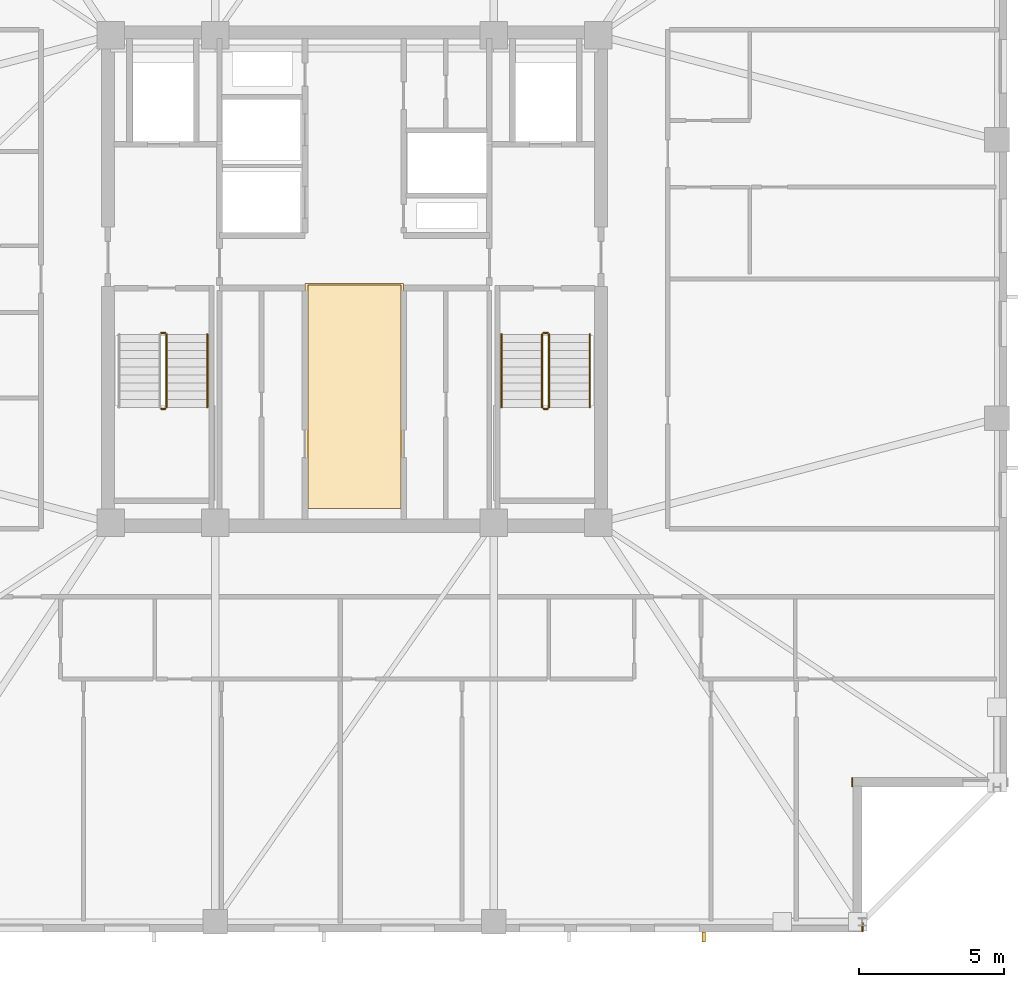
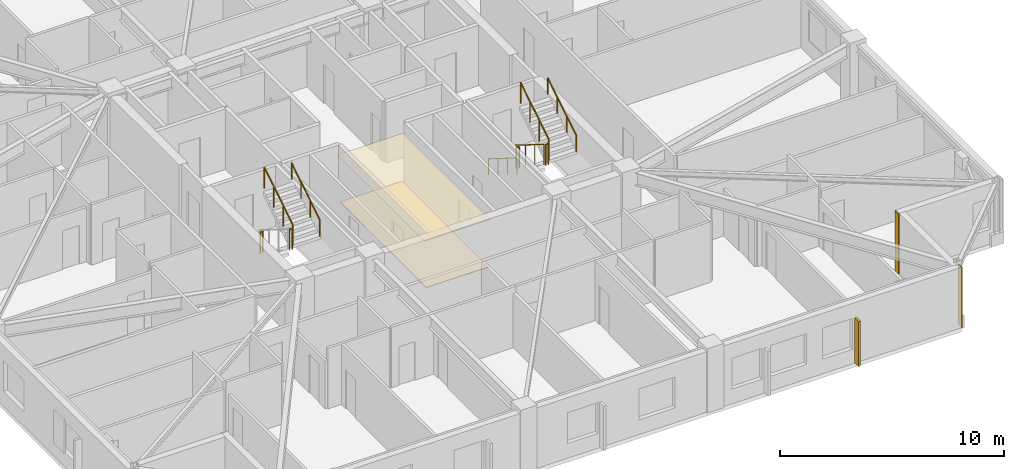
# One storey, part 14 of 17: 10 railings, 4 coverings, 1 shading device.
"""IFC4 building model written with IfcOpenShell, lengths in metres."""

from ifc_helpers import new_model, si_unit, direction, frame, frame_2d, origin, origin_2d, place, context, subcontext, project, spatial, polyline, rectangle, circle, outline, extrude, material, layer, layer_set, type_object, element, save


model = new_model("IFC4")

# Units and contexts
model_context = context("Model", 3, precision=1e-05, world=origin(), true_north=direction((0.0, 1.0)))
body_context = subcontext(model_context, "Body", "Model", "MODEL_VIEW")
ifc_project = project(units=[si_unit("LENGTHUNIT", "METRE"), si_unit("AREAUNIT", "SQUARE_METRE"), si_unit("VOLUMEUNIT", "CUBIC_METRE"), si_unit("PLANEANGLEUNIT", "RADIAN"), si_unit("MASSUNIT", "GRAM", prefix="KILO")], contexts=[model_context])

# Site, building, storey
site_placement = place(None, origin())
site = spatial("IfcSite", under=ifc_project, at=site_placement, CompositionType="ELEMENT")
building_placement = place(site_placement, origin())
building = spatial("IfcBuilding", under=site, at=building_placement, Name="Cairnveth Concourse Tower", CompositionType="ELEMENT")
storey_placement = place(building_placement, frame((0.0, 0.0, 206.0)))
storey = spatial("IfcBuildingStorey", under=building, at=storey_placement, Name="L56", CompositionType="ELEMENT", Elevation=206.0)

# Coverings
ifc_material_1 = material(Name="Acoustic Mineral Fibre Ceiling", Category="gypsum")
ifc_layer_1 = layer(ifc_material_1, 0.02490234375)
ifc_layer_set_1 = layer_set([ifc_layer_1], Name="Acoustic Mineral Fibre Ceiling")
covering_type_1 = type_object("IfcCoveringType", Name="ACOUSTIC MINERAL FIBRE CEILING 25", PredefinedType="CEILING", material=ifc_layer_set_1)
covering_1_placement = place(storey_placement, frame((0.0, 0.0, 2.55810546875)))
element("IfcCovering", 1, at=covering_1_placement, inside=storey, type_object=covering_type_1, Name="Lift Lobby Acoustic Ceiling L56", PredefinedType="CEILING", context=body_context, shape_type="SweptSolid", body=[
    extrude(outline(polyline([(50.300048828125, 31.10009765625), (53.699951171875, 31.10009765625), (53.699951171875, 38.85009765625), (50.300048828125, 38.85009765625), (50.300048828125, 31.10009765625)])), origin(), (0.0, 0.0, 1.0), 0.02490234375),
])
ifc_material_2 = material(Name="Dressed Melbourne Bluestone Cladding", Category="masonry")
ifc_layer_2 = layer(ifc_material_2, 0.050048828125)
ifc_layer_set_2 = layer_set([ifc_layer_2], Name="Dressed Melbourne Bluestone Cladding")
covering_type_2 = type_object("IfcCoveringType", Name="DRESSED BLUESTONE PLINTH CLADDING 50", PredefinedType="CLADDING", material=ifc_layer_set_2)
for number, where, z_axis, x_axis, name in (
    (2, (69.159912109375, 21.820068359375, 0.0), (0.0, 0.0, 1.0), (0.0, -1.0, 0.0), "Melbourne Bluestone Corner Quoin L56-836"),
    (3, (69.52001953125, 16.820068359375, 0.0), (0.0, 0.0, 1.0), (0.0, -1.0, 0.0), "Melbourne Bluestone Corner Quoin L56-837"),
):
    element("IfcCovering", number, at=place(storey_placement, frame(where, z_axis=z_axis, x_axis=x_axis)), inside=storey, type_object=covering_type_2, Name=name, PredefinedType="CLADDING", context=body_context, shape_type="SweptSolid", body=[
        extrude(rectangle(XDim=0.320068359375, YDim=0.050048828125, at=frame_2d((0.16015625, 0.0))), origin(), (0.0, 0.0, 1.0), 3.2900390625),
    ])

# Shading device
ifc_material_3 = material(Name="Architectural Bronze Anodised Aluminium 6063-T6", Category="aluminium")
shading_device_type = type_object("IfcShadingDeviceType", Name="GOTHIC BRONZE VERTICAL LANCET FIN", PredefinedType="USERDEFINED", material=ifc_material_3)
shading_device_placement = place(storey_placement, frame((64.04736328125, 16.324951171875, 0.030029296875), z_axis=(0.0, 0.0, 1.0), x_axis=(1.0, 0.0, 0.0)))
element("IfcShadingDevice", 4, at=shading_device_placement, inside=storey, type_object=shading_device_type, Name="Gothic Bronze Vertical Fin L56-6-1", ObjectType="VERTICAL FIN", PredefinedType="USERDEFINED", context=body_context, shape_type="SweptSolid", body=[
    extrude(rectangle(XDim=0.1201171875, YDim=0.360107421875, at=origin_2d()), origin(), (0.0, 0.0, 1.0), 2.43798828125),
])

# Railings
ifc_material_4 = material(Name="Steel Grade 350", Category="steel")
railing_type_1 = type_object("IfcRailingType", Name="STAIR GUARDRAIL 1150", PredefinedType="GUARDRAIL", material=ifc_material_4)
railing_1_placement = place(storey_placement, frame((45.340087890625, 34.530029296875, 1.75)))
element("IfcRailing", 5, at=railing_1_placement, inside=storey, type_object=railing_type_1, Name="L56 ST-1 stair guard 2", PredefinedType="GUARDRAIL", context=body_context, shape_type="SweptSolid", body=[
    extrude(circle(Radius=0.02392578125, at=origin_2d()), frame((0.0, 0.0, 1.1259765625), z_axis=(1.0, 0.0, 0.0), x_axis=(0.0, 1.0, 0.0)), (0.0, 0.0, 1.0), 0.139892578125),
    extrude(circle(Radius=0.02099609375, at=origin_2d()), origin(), (0.0, 0.0, 1.0), 1.101806640625),
    extrude(circle(Radius=0.02099609375, at=origin_2d()), frame((0.139892578125, 0.0, 0.0)), (0.0, 0.0, 1.0), 1.101806640625),
])
railing_2_placement = place(storey_placement, frame((45.530029296875, 34.580078125, 1.925048828125)))
element("IfcRailing", 6, at=railing_2_placement, inside=storey, type_object=railing_type_1, Name="L56 ST-1 stair guard 3", PredefinedType="GUARDRAIL", context=body_context, shape_type="SweptSolid", body=[
    extrude(circle(Radius=0.02392578125, at=origin_2d()), frame((0.0, 0.0, 1.1259765625), z_axis=(0.0, 0.848007534815, 0.529984170421), x_axis=(-1.0, 0.0, 0.0)), (0.0, 0.0, 1.0), 2.9716796875),
    extrude(circle(Radius=0.02099609375, at=origin_2d()), origin(), (0.0, 0.0, 1.0), 1.101806640625),
    extrude(circle(Radius=0.02099609375, at=origin_2d()), frame((0.0, 0.840087890625, 0.52490234375)), (0.0, 0.0, 1.0), 1.101806640625),
    extrude(circle(Radius=0.02099609375, at=origin_2d()), frame((0.0, 1.679931640625, 1.050048828125)), (0.0, 0.0, 1.0), 1.101806640625),
    extrude(circle(Radius=0.02099609375, at=origin_2d()), frame((0.0, 2.52001953125, 1.574951171875)), (0.0, 0.0, 1.0), 1.101806640625),
])
railing_3_placement = place(storey_placement, frame((45.340087890625, 37.14990234375, 0.0)))
element("IfcRailing", 7, at=railing_3_placement, inside=storey, type_object=railing_type_1, Name="L56 ST-1 stair guard 4", PredefinedType="GUARDRAIL", context=body_context, shape_type="SweptSolid", body=[
    extrude(circle(Radius=0.02392578125, at=origin_2d()), frame((0.0, 0.0, 1.1259765625), z_axis=(1.0, 0.0, 0.0), x_axis=(0.0, 1.0, 0.0)), (0.0, 0.0, 1.0), 0.139892578125),
    extrude(circle(Radius=0.02099609375, at=origin_2d()), origin(), (0.0, 0.0, 1.0), 1.101806640625),
    extrude(circle(Radius=0.02099609375, at=origin_2d()), frame((0.139892578125, 0.0, 0.0)), (0.0, 0.0, 1.0), 1.101806640625),
])
railing_4_placement = place(storey_placement, frame((58.469970703125, 37.10009765625, 0.175048828125)))
element("IfcRailing", 8, at=railing_4_placement, inside=storey, type_object=railing_type_1, Name="L56 ST-2 stair guard 1", PredefinedType="GUARDRAIL", context=body_context, shape_type="SweptSolid", body=[
    extrude(circle(Radius=0.02392578125, at=origin_2d()), frame((0.0, 0.0, 1.1259765625), z_axis=(0.0, -0.848007534815, 0.529984170421), x_axis=(1.0, 0.0, 0.0)), (0.0, 0.0, 1.0), 2.9716796875),
    extrude(circle(Radius=0.02099609375, at=origin_2d()), origin(), (0.0, 0.0, 1.0), 1.101806640625),
    extrude(circle(Radius=0.02099609375, at=origin_2d()), frame((0.0, -0.840087890625, 0.52490234375)), (0.0, 0.0, 1.0), 1.101806640625),
    extrude(circle(Radius=0.02099609375, at=origin_2d()), frame((0.0, -1.679931640625, 1.050048828125)), (0.0, 0.0, 1.0), 1.101806640625),
    extrude(circle(Radius=0.02099609375, at=origin_2d()), frame((0.0, -2.52001953125, 1.574951171875)), (0.0, 0.0, 1.0), 1.101806640625),
])
railing_5_placement = place(storey_placement, frame((58.52001953125, 34.530029296875, 1.75)))
element("IfcRailing", 9, at=railing_5_placement, inside=storey, type_object=railing_type_1, Name="L56 ST-2 stair guard 2", PredefinedType="GUARDRAIL", context=body_context, shape_type="SweptSolid", body=[
    extrude(circle(Radius=0.02392578125, at=origin_2d()), frame((0.0, 0.0, 1.1259765625), z_axis=(1.0, 0.0, 0.0), x_axis=(0.0, 1.0, 0.0)), (0.0, 0.0, 1.0), 0.139892578125),
    extrude(circle(Radius=0.02099609375, at=origin_2d()), origin(), (0.0, 0.0, 1.0), 1.101806640625),
    extrude(circle(Radius=0.02099609375, at=origin_2d()), frame((0.139892578125, 0.0, 0.0)), (0.0, 0.0, 1.0), 1.101806640625),
])
railing_6_placement = place(storey_placement, frame((58.7099609375, 34.580078125, 1.925048828125)))
element("IfcRailing", 10, at=railing_6_placement, inside=storey, type_object=railing_type_1, Name="L56 ST-2 stair guard 3", PredefinedType="GUARDRAIL", context=body_context, shape_type="SweptSolid", body=[
    extrude(circle(Radius=0.02392578125, at=origin_2d()), frame((0.0, 0.0, 1.1259765625), z_axis=(0.0, 0.848007534815, 0.529984170421), x_axis=(-1.0, 0.0, 0.0)), (0.0, 0.0, 1.0), 2.9716796875),
    extrude(circle(Radius=0.02099609375, at=origin_2d()), origin(), (0.0, 0.0, 1.0), 1.101806640625),
    extrude(circle(Radius=0.02099609375, at=origin_2d()), frame((0.0, 0.840087890625, 0.52490234375)), (0.0, 0.0, 1.0), 1.101806640625),
    extrude(circle(Radius=0.02099609375, at=origin_2d()), frame((0.0, 1.679931640625, 1.050048828125)), (0.0, 0.0, 1.0), 1.101806640625),
    extrude(circle(Radius=0.02099609375, at=origin_2d()), frame((0.0, 2.52001953125, 1.574951171875)), (0.0, 0.0, 1.0), 1.101806640625),
])
railing_7_placement = place(storey_placement, frame((58.52001953125, 37.14990234375, 0.0)))
element("IfcRailing", 11, at=railing_7_placement, inside=storey, type_object=railing_type_1, Name="L56 ST-2 stair guard 4", PredefinedType="GUARDRAIL", context=body_context, shape_type="SweptSolid", body=[
    extrude(circle(Radius=0.02392578125, at=origin_2d()), frame((0.0, 0.0, 1.1259765625), z_axis=(1.0, 0.0, 0.0), x_axis=(0.0, 1.0, 0.0)), (0.0, 0.0, 1.0), 0.139892578125),
    extrude(circle(Radius=0.02099609375, at=origin_2d()), origin(), (0.0, 0.0, 1.0), 1.101806640625),
    extrude(circle(Radius=0.02099609375, at=origin_2d()), frame((0.139892578125, 0.0, 0.0)), (0.0, 0.0, 1.0), 1.101806640625),
])
railing_type_2 = type_object("IfcRailingType", Name="STAIR WALL HANDRAIL 900", PredefinedType="HANDRAIL", material=ifc_material_4)
railing_8_placement = place(storey_placement, frame((46.929931640625, 34.580078125, 1.925048828125)))
element("IfcRailing", 12, at=railing_8_placement, inside=storey, type_object=railing_type_2, Name="L56 ST-1 stair handrail 2", PredefinedType="HANDRAIL", context=body_context, shape_type="SweptSolid", body=[
    extrude(circle(Radius=0.02392578125, at=origin_2d()), frame((0.0, 0.0, 0.8759765625), z_axis=(0.0, 0.848007534815, 0.529984170421), x_axis=(-1.0, 0.0, 0.0)), (0.0, 0.0, 1.0), 2.9716796875),
    extrude(circle(Radius=0.02099609375, at=origin_2d()), origin(), (0.0, 0.0, 1.0), 0.851806640625),
    extrude(circle(Radius=0.02099609375, at=origin_2d()), frame((0.0, 0.840087890625, 0.52490234375)), (0.0, 0.0, 1.0), 0.851806640625),
    extrude(circle(Radius=0.02099609375, at=origin_2d()), frame((0.0, 1.679931640625, 1.050048828125)), (0.0, 0.0, 1.0), 0.851806640625),
    extrude(circle(Radius=0.02099609375, at=origin_2d()), frame((0.0, 2.52001953125, 1.574951171875)), (0.0, 0.0, 1.0), 0.851806640625),
])
railing_9_placement = place(storey_placement, frame((57.070068359375, 37.10009765625, 0.175048828125)))
element("IfcRailing", 13, at=railing_9_placement, inside=storey, type_object=railing_type_2, Name="L56 ST-2 stair handrail 1", PredefinedType="HANDRAIL", context=body_context, shape_type="SweptSolid", body=[
    extrude(circle(Radius=0.02392578125, at=origin_2d()), frame((0.0, 0.0, 0.8759765625), z_axis=(0.0, -0.848007534815, 0.529984170421), x_axis=(1.0, 0.0, 0.0)), (0.0, 0.0, 1.0), 2.9716796875),
    extrude(circle(Radius=0.02099609375, at=origin_2d()), origin(), (0.0, 0.0, 1.0), 0.851806640625),
    extrude(circle(Radius=0.02099609375, at=origin_2d()), frame((0.0, -0.840087890625, 0.52490234375)), (0.0, 0.0, 1.0), 0.851806640625),
    extrude(circle(Radius=0.02099609375, at=origin_2d()), frame((0.0, -1.679931640625, 1.050048828125)), (0.0, 0.0, 1.0), 0.851806640625),
    extrude(circle(Radius=0.02099609375, at=origin_2d()), frame((0.0, -2.52001953125, 1.574951171875)), (0.0, 0.0, 1.0), 0.851806640625),
])
railing_10_placement = place(storey_placement, frame((60.110107421875, 34.580078125, 1.925048828125)))
element("IfcRailing", 14, at=railing_10_placement, inside=storey, type_object=railing_type_2, Name="L56 ST-2 stair handrail 2", PredefinedType="HANDRAIL", context=body_context, shape_type="SweptSolid", body=[
    extrude(circle(Radius=0.02392578125, at=origin_2d()), frame((0.0, 0.0, 0.8759765625), z_axis=(0.0, 0.848007534815, 0.529984170421), x_axis=(-1.0, 0.0, 0.0)), (0.0, 0.0, 1.0), 2.9716796875),
    extrude(circle(Radius=0.02099609375, at=origin_2d()), origin(), (0.0, 0.0, 1.0), 0.851806640625),
    extrude(circle(Radius=0.02099609375, at=origin_2d()), frame((0.0, 0.840087890625, 0.52490234375)), (0.0, 0.0, 1.0), 0.851806640625),
    extrude(circle(Radius=0.02099609375, at=origin_2d()), frame((0.0, 1.679931640625, 1.050048828125)), (0.0, 0.0, 1.0), 0.851806640625),
    extrude(circle(Radius=0.02099609375, at=origin_2d()), frame((0.0, 2.52001953125, 1.574951171875)), (0.0, 0.0, 1.0), 0.851806640625),
])

# Covering
ifc_material_5 = material(Name="Vitrified Stoneware Tile Flooring", Category="masonry")
ifc_layer_3 = layer(ifc_material_5, 0.02001953125)
ifc_layer_set_3 = layer_set([ifc_layer_3], Name="Vitrified Stoneware Tile Flooring")
covering_type_3 = type_object("IfcCoveringType", Name="VITRIFIED STONEWARE LOBBY FLOORING 20", PredefinedType="FLOORING", material=ifc_layer_set_3)
covering_2_placement = place(storey_placement, origin())
element("IfcCovering", 15, at=covering_2_placement, inside=storey, type_object=covering_type_3, Name="Lift Lobby Stoneware Flooring L56", PredefinedType="FLOORING", context=body_context, shape_type="SweptSolid", body=[
    extrude(outline(polyline([(50.39990234375, 31.10009765625), (53.60009765625, 31.10009765625), (53.60009765625, 38.800048828125), (50.39990234375, 38.800048828125), (50.39990234375, 31.10009765625)])), origin(), (0.0, 0.0, 1.0), 0.02001953125),
])

save(model, "model.ifc")
